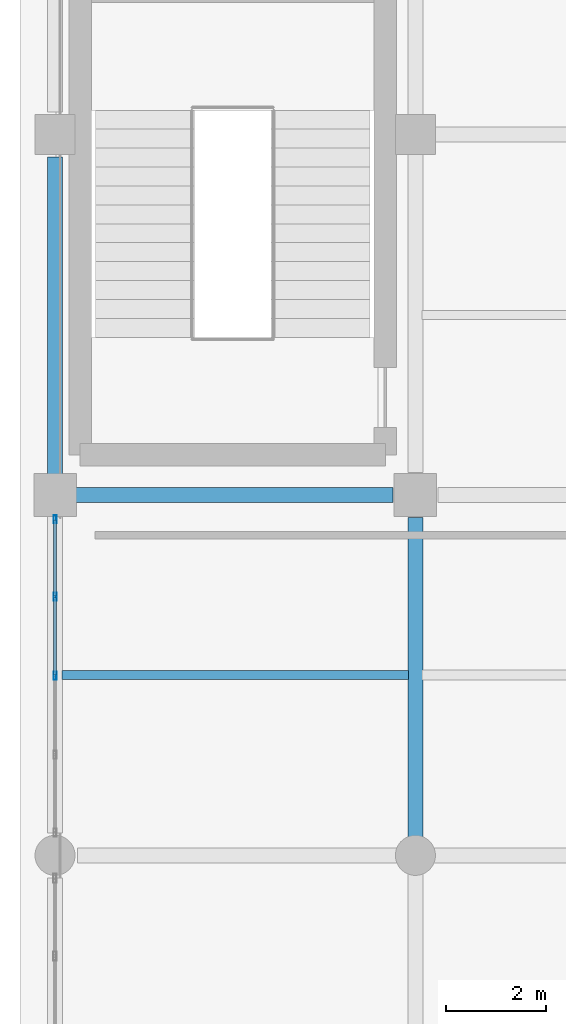
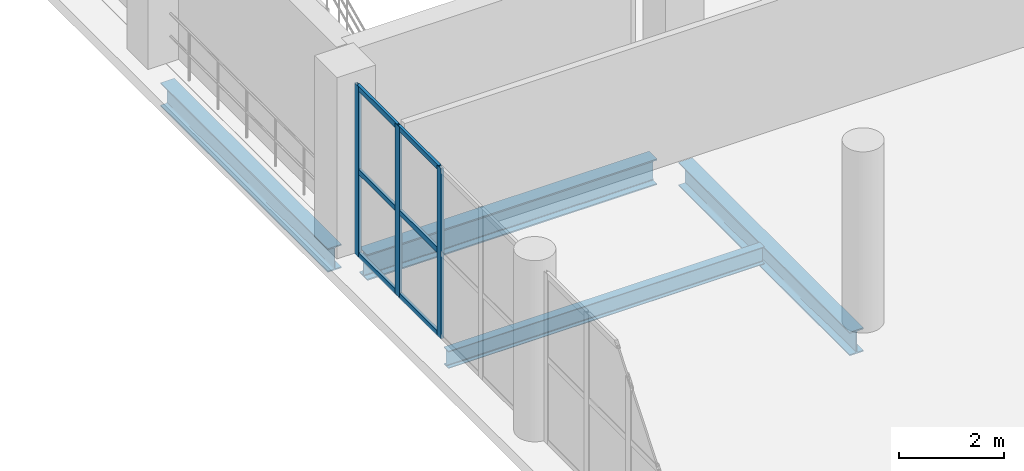
# One storey, part 19 of 153: 9 members, 4 beams, 1 element without a shape of its own.
"""IFC4 building model written with IfcOpenShell, lengths in metres."""

from ifc_helpers import new_model, si_unit, direction, frame, origin, origin_2d, place, context, subcontext, project, spatial, hollow_rectangle, i_section, extrude, material, material_profile, profile_set, type_object, element, aggregate, save


model = new_model("IFC4")

# Units and contexts
model_context = context("Model", 3, precision=1e-05, world=origin(), true_north=direction((0.0, 1.0)))
body_context = subcontext(model_context, "Body", "Model", "MODEL_VIEW")
ifc_project = project(units=[si_unit("LENGTHUNIT", "METRE"), si_unit("AREAUNIT", "SQUARE_METRE"), si_unit("VOLUMEUNIT", "CUBIC_METRE"), si_unit("PLANEANGLEUNIT", "RADIAN"), si_unit("MASSUNIT", "GRAM", prefix="KILO")], contexts=[model_context])

# Site, building, storey
site_placement = place(None, origin())
site = spatial("IfcSite", under=ifc_project, at=site_placement, CompositionType="ELEMENT")
building_placement = place(site_placement, origin())
building = spatial("IfcBuilding", under=site, at=building_placement, Name="Qandorah Velis Arena", CompositionType="ELEMENT")
storey_placement = place(building_placement, frame((0.0, 0.0, 5.39990234375)))
storey = spatial("IfcBuildingStorey", under=building, at=storey_placement, Name="L01", CompositionType="ELEMENT", Elevation=5.39990234375)

# Curtain wall, members
ifc_material_1 = material(Name="Solar-control low-E double glazing", Category="glass")
curtain_wall_type = type_object("IfcCurtainWallType", Name="ARC-CW-SYS03", PredefinedType="USERDEFINED", material=ifc_material_1)
curtain_wall_placement = place(storey_placement, origin())
curtain_wall = element("IfcCurtainWall", 1, at=curtain_wall_placement, inside=storey, type_object=curtain_wall_type, Name="Unitised curtain wall L01-003", ObjectType="UNITISED CURTAIN WALL", PredefinedType="USERDEFINED")
ifc_material_2 = material(Name="Champagne-bronze anodized aluminium 6063-T6", Category="aluminium")
ifc_material_profile_1 = material_profile(ifc_material_2, hollow_rectangle(XDim=0.06005859375, YDim=0.159912109375, WallThickness=0.00341796875, at=origin_2d()), Name="ALU MULLION 60x160")
ifc_profile_set_1 = profile_set([ifc_material_profile_1], Name="Champagne-bronze anodized aluminium 6063-T6")
member_type_1 = type_object("IfcMemberType", Name="ARC-CWM-160", PredefinedType="MULLION", material=ifc_profile_set_1)
member_1_placement = place(storey_placement, frame((0.0, 32.387451171875, -0.014892578125), z_axis=(0.0, 0.0, 1.0), x_axis=(-1.0, 0.0, 0.0)))
member_1 = element("IfcMember", 2, at=member_1_placement, type_object=member_type_1, Name="CW03 mullion 3", PredefinedType="MULLION", context=body_context, shape_type="SweptSolid", body=[
    extrude(hollow_rectangle(XDim=0.06005859375, YDim=0.159912109375, WallThickness=0.00341796875, at=origin_2d()), origin(), (0.0, 0.0, 1.0), 3.949951171875),
])
member_2_placement = place(storey_placement, frame((0.0, 33.96875, -0.014892578125), z_axis=(0.0, 0.0, 1.0), x_axis=(-1.0, 0.0, 0.0)))
member_2 = element("IfcMember", 3, at=member_2_placement, type_object=member_type_1, Name="CW03 mullion 4", PredefinedType="MULLION", context=body_context, shape_type="SweptSolid", body=[
    extrude(hollow_rectangle(XDim=0.06005859375, YDim=0.159912109375, WallThickness=0.00341796875, at=origin_2d()), origin(), (0.0, 0.0, 1.0), 3.949951171875),
])
member_3_placement = place(storey_placement, frame((0.0, 35.52001953125, -0.014892578125), z_axis=(0.0, 0.0, 1.0), x_axis=(-1.0, 0.0, 0.0)))
member_3 = element("IfcMember", 4, at=member_3_placement, type_object=member_type_1, Name="CW03 mullion 5", PredefinedType="MULLION", context=body_context, shape_type="SweptSolid", body=[
    extrude(hollow_rectangle(XDim=0.06005859375, YDim=0.159912109375, WallThickness=0.00341796875, at=origin_2d()), origin(), (0.0, 0.0, 1.0), 3.949951171875),
])
ifc_material_profile_2 = material_profile(ifc_material_2, hollow_rectangle(XDim=0.06005859375, YDim=0.1201171875, WallThickness=0.0029296875, at=origin_2d()), Name="ALU TRANSOM 60x120")
ifc_profile_set_2 = profile_set([ifc_material_profile_2], Name="Champagne-bronze anodized aluminium 6063-T6")
member_type_2 = type_object("IfcMemberType", Name="ARC-CWT-120", PredefinedType="USERDEFINED", material=ifc_profile_set_2)
member_4_placement = place(storey_placement, frame((0.0, 32.405517578125, 0.030029296875), z_axis=(0.0, 1.0, 0.0), x_axis=(-1.0, 0.0, 0.0)))
member_4 = element("IfcMember", 5, at=member_4_placement, type_object=member_type_2, Name="CW03 transom 3.1", ObjectType="TRANSOM", PredefinedType="USERDEFINED", context=body_context, shape_type="SweptSolid", body=[
    extrude(hollow_rectangle(XDim=0.06005859375, YDim=0.1201171875, WallThickness=0.0029296875, at=origin_2d()), origin(), (0.0, 0.0, 1.0), 1.545166015625),
])
member_5_placement = place(storey_placement, frame((0.0, 32.405517578125, 1.960205078125), z_axis=(0.0, 1.0, 0.0), x_axis=(-1.0, 0.0, 0.0)))
member_5 = element("IfcMember", 6, at=member_5_placement, type_object=member_type_2, Name="CW03 transom 3.2", ObjectType="TRANSOM", PredefinedType="USERDEFINED", context=body_context, shape_type="SweptSolid", body=[
    extrude(hollow_rectangle(XDim=0.06005859375, YDim=0.1201171875, WallThickness=0.0029296875, at=origin_2d()), origin(), (0.0, 0.0, 1.0), 1.545166015625),
])
member_6_placement = place(storey_placement, frame((0.0, 32.405517578125, 3.89013671875), z_axis=(0.0, 1.0, 0.0), x_axis=(-1.0, 0.0, 0.0)))
member_6 = element("IfcMember", 7, at=member_6_placement, type_object=member_type_2, Name="CW03 transom 3.3", ObjectType="TRANSOM", PredefinedType="USERDEFINED", context=body_context, shape_type="SweptSolid", body=[
    extrude(hollow_rectangle(XDim=0.06005859375, YDim=0.1201171875, WallThickness=0.0029296875, at=origin_2d()), origin(), (0.0, 0.0, 1.0), 1.545166015625),
])
member_7_placement = place(storey_placement, frame((0.0, 33.98681640625, 0.030029296875), z_axis=(0.0, 1.0, 0.0), x_axis=(-1.0, 0.0, 0.0)))
member_7 = element("IfcMember", 8, at=member_7_placement, type_object=member_type_2, Name="CW03 transom 4.1", ObjectType="TRANSOM", PredefinedType="USERDEFINED", context=body_context, shape_type="SweptSolid", body=[
    extrude(hollow_rectangle(XDim=0.06005859375, YDim=0.1201171875, WallThickness=0.0029296875, at=origin_2d()), origin(), (0.0, 0.0, 1.0), 1.51513671875),
])
member_8_placement = place(storey_placement, frame((0.0, 33.98681640625, 1.960205078125), z_axis=(0.0, 1.0, 0.0), x_axis=(-1.0, 0.0, 0.0)))
member_8 = element("IfcMember", 9, at=member_8_placement, type_object=member_type_2, Name="CW03 transom 4.2", ObjectType="TRANSOM", PredefinedType="USERDEFINED", context=body_context, shape_type="SweptSolid", body=[
    extrude(hollow_rectangle(XDim=0.06005859375, YDim=0.1201171875, WallThickness=0.0029296875, at=origin_2d()), origin(), (0.0, 0.0, 1.0), 1.51513671875),
])
member_9_placement = place(storey_placement, frame((0.0, 33.98681640625, 3.89013671875), z_axis=(0.0, 1.0, 0.0), x_axis=(-1.0, 0.0, 0.0)))
member_9 = element("IfcMember", 10, at=member_9_placement, type_object=member_type_2, Name="CW03 transom 4.3", ObjectType="TRANSOM", PredefinedType="USERDEFINED", context=body_context, shape_type="SweptSolid", body=[
    extrude(hollow_rectangle(XDim=0.06005859375, YDim=0.1201171875, WallThickness=0.0029296875, at=origin_2d()), origin(), (0.0, 0.0, 1.0), 1.51513671875),
])
aggregate(curtain_wall, [member_1, member_2, member_3, member_4, member_5, member_6, member_7, member_8, member_9])

# Beams
ifc_material_3 = material(Name="Steel S355", Category="steel")
ifc_material_profile_3 = material_profile(ifc_material_3, i_section(OverallWidth=0.300048828125, OverallDepth=0.550048828125, WebThickness=0.014892578125, FlangeThickness=0.029052734375, FilletRadius=0.027099609375, at=origin_2d()), Name="HEB 550")
ifc_profile_set_3 = profile_set([ifc_material_profile_3], Name="Steel S355")
beam_type_1 = type_object("IfcBeamType", Name="STR-BM-HEB550", PredefinedType="BEAM", material=ifc_profile_set_3)
beam_1_placement = place(storey_placement, frame((0.0, 36.39990234375, -0.635009765625), z_axis=(0.0, 1.0, 0.0), x_axis=(-1.0, 0.0, 0.0)))
element("IfcBeam", 11, at=beam_1_placement, inside=storey, type_object=beam_type_1, Name="Primary floor girder L01 Y-225", PredefinedType="BEAM", context=body_context, shape_type="SweptSolid", body=[
    extrude(i_section(OverallWidth=0.300048828125, OverallDepth=0.550048828125, WebThickness=0.014892578125, FlangeThickness=0.029052734375, FilletRadius=0.027099609375, at=origin_2d()), origin(), (0.0, 0.0, 1.0), 6.35009765625),
])
beam_2_placement = place(storey_placement, frame((7.199951171875, 29.050048828125, -0.635009765625), z_axis=(0.0, 1.0, 0.0), x_axis=(-1.0, 0.0, 0.0)))
element("IfcBeam", 12, at=beam_2_placement, inside=storey, type_object=beam_type_1, Name="Primary floor girder L01 Y-242", PredefinedType="BEAM", context=body_context, shape_type="SweptSolid", body=[
    extrude(i_section(OverallWidth=0.300048828125, OverallDepth=0.550048828125, WebThickness=0.014892578125, FlangeThickness=0.029052734375, FilletRadius=0.027099609375, at=origin_2d()), origin(), (0.0, 0.0, 1.0), 6.5),
])
ifc_material_profile_4 = material_profile(ifc_material_3, i_section(OverallWidth=0.300048828125, OverallDepth=0.60009765625, WebThickness=0.015380859375, FlangeThickness=0.030029296875, FilletRadius=0.027099609375, at=origin_2d()), Name="HEB 600")
ifc_profile_set_4 = profile_set([ifc_material_profile_4], Name="Steel S355")
beam_type_2 = type_object("IfcBeamType", Name="STR-BM-HEB600", PredefinedType="BEAM", material=ifc_profile_set_4)
beam_3_placement = place(storey_placement, frame((0.39990234375, 36.0, -0.659912109375), z_axis=(1.0, 0.0, 0.0), x_axis=(0.0, 1.0, 0.0)))
element("IfcBeam", 13, at=beam_3_placement, inside=storey, type_object=beam_type_2, Name="Primary floor girder L01 X-072", PredefinedType="BEAM", context=body_context, shape_type="SweptSolid", body=[
    extrude(i_section(OverallWidth=0.300048828125, OverallDepth=0.60009765625, WebThickness=0.015380859375, FlangeThickness=0.030029296875, FilletRadius=0.027099609375, at=origin_2d()), origin(), (0.0, 0.0, 1.0), 6.35009765625),
])
ifc_material_profile_5 = material_profile(ifc_material_3, i_section(OverallWidth=0.179931640625, OverallDepth=0.39990234375, WebThickness=0.008544921875, FlangeThickness=0.013427734375, FilletRadius=0.02099609375, at=origin_2d()), Name="IPE 400")
ifc_profile_set_5 = profile_set([ifc_material_profile_5], Name="Steel S355")
beam_type_3 = type_object("IfcBeamType", Name="STR-JST-IPE400", PredefinedType="JOIST", material=ifc_profile_set_5)
beam_4_placement = place(storey_placement, frame((0.135009765625, 32.39990234375, -0.559814453125), z_axis=(1.0, 0.0, 0.0), x_axis=(0.0, 1.0, 0.0)))
element("IfcBeam", 14, at=beam_4_placement, inside=storey, type_object=beam_type_3, Name="Secondary floor joist L01-005", PredefinedType="JOIST", context=body_context, shape_type="SweptSolid", body=[
    extrude(i_section(OverallWidth=0.179931640625, OverallDepth=0.39990234375, WebThickness=0.008544921875, FlangeThickness=0.013427734375, FilletRadius=0.02099609375, at=origin_2d()), origin(), (0.0, 0.0, 1.0), 6.929931640625),
])

save(model, "model.ifc")
